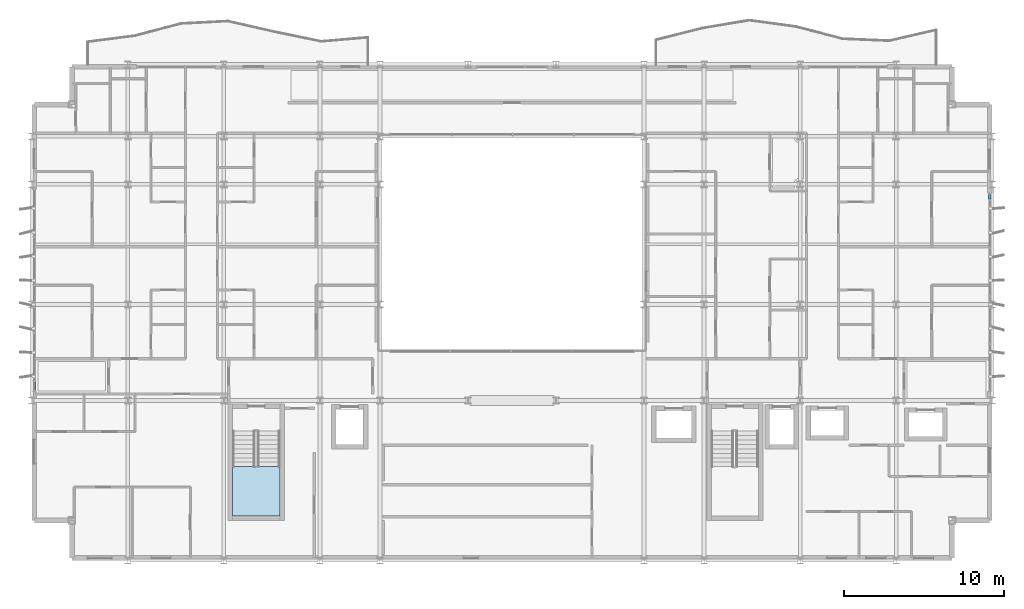
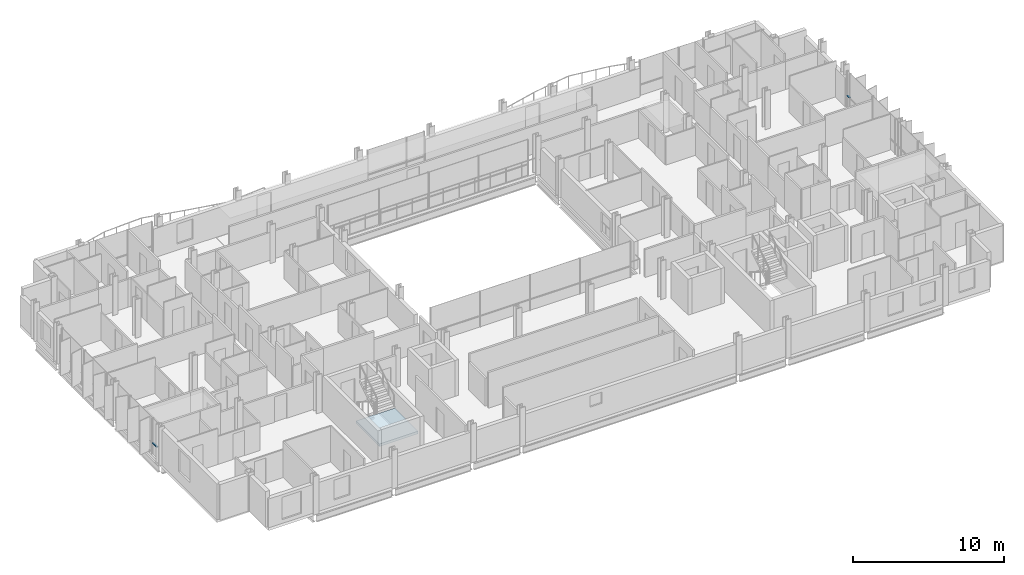
# One storey, part 21 of 39: 2 members, 1 slab, 3 elements without a shape of their own.
"""IFC4 building model written with IfcOpenShell, lengths in metres."""

from ifc_helpers import new_model, si_unit, direction, frame, origin, origin_2d, place, context, subcontext, project, spatial, polyline, hollow_rectangle, outline, extrude, material, layer, layer_set, material_profile, profile_set, type_object, element, aggregate, save


model = new_model("IFC4")

# Units and contexts
model_context = context("Model", 3, precision=1e-05, world=origin(), true_north=direction((0.0, 1.0)))
body_context = subcontext(model_context, "Body", "Model", "MODEL_VIEW")
ifc_project = project(units=[si_unit("LENGTHUNIT", "METRE"), si_unit("AREAUNIT", "SQUARE_METRE"), si_unit("VOLUMEUNIT", "CUBIC_METRE"), si_unit("PLANEANGLEUNIT", "RADIAN"), si_unit("MASSUNIT", "GRAM", prefix="KILO")], contexts=[model_context])

# Site, building, storey
site_placement = place(None, origin())
site = spatial("IfcSite", under=ifc_project, at=site_placement, CompositionType="ELEMENT")
building_placement = place(site_placement, origin())
building = spatial("IfcBuilding", under=site, at=building_placement, Name="Brevholm Reach", CompositionType="ELEMENT")
storey_placement = place(building_placement, frame((0.0, 0.0, 115.89990234375)))
storey = spatial("IfcBuildingStorey", under=building, at=storey_placement, Name="L34", CompositionType="ELEMENT", Elevation=115.89990234375)

# Curtain wall, member
ifc_material_1 = material(Name="Dark Anodised Aluminium 6063-T6 and Solar-Control Glass", Category="aluminium")
ifc_layer_1 = layer(ifc_material_1, 0.14990234375)
ifc_layer_set_1 = layer_set([ifc_layer_1], Name="Dark Anodised Aluminium 6063-T6 and Solar-Control Glass")
curtain_wall_type = type_object("IfcCurtainWallType", Name="CW-01", PredefinedType="NOTDEFINED", material=ifc_layer_set_1)
curtain_wall_1_placement = place(storey_placement, origin())
curtain_wall_1 = element("IfcCurtainWall", 1, at=curtain_wall_1_placement, inside=storey, type_object=curtain_wall_type, Name="L34 Curtain Wall CW-01", PredefinedType="NOTDEFINED")
ifc_material_2 = material(Name="Dark Anodised Aluminium 6063-T6", Category="aluminium")
ifc_material_profile = material_profile(ifc_material_2, hollow_rectangle(XDim=0.06494140625, YDim=0.14990234375, WallThickness=0.0048828125, InnerFilletRadius=0.0048828125, OuterFilletRadius=0.010009765625, at=origin_2d()), Name="RHS 150x65x5")
ifc_profile_set = profile_set([ifc_material_profile], Name="Dark Anodised Aluminium 6063-T6")
member_type = type_object("IfcMemberType", Name="CWT-150", PredefinedType="NOTDEFINED", material=ifc_profile_set)
member_1_placement = place(storey_placement, frame((0.14990234375, 11.1875, 0.900146484375), z_axis=(0.0, -1.0, 0.0), x_axis=(0.0, 0.0, 1.0)))
member_1 = element("IfcMember", 2, at=member_1_placement, type_object=member_type, Name="CT-150 Transom 5.1", ObjectType="TRANSOM", PredefinedType="USERDEFINED", context=body_context, shape_type="SweptSolid", body=[
    extrude(hollow_rectangle(XDim=0.06494140625, YDim=0.14990234375, WallThickness=0.0048828125, InnerFilletRadius=0.0048828125, OuterFilletRadius=0.010009765625, at=origin_2d()), origin(), (0.0, 0.0, 1.0), 0.572509765625),
])
aggregate(curtain_wall_1, [member_1])

curtain_wall_2_placement = place(storey_placement, origin())
curtain_wall_2 = element("IfcCurtainWall", 3, at=curtain_wall_2_placement, inside=storey, type_object=curtain_wall_type, Name="L34 Curtain Wall CW-01", PredefinedType="NOTDEFINED")
member_2_placement = place(storey_placement, frame((59.85009765625, 22.58251953125, 0.900146484375), z_axis=(0.0, 1.0, 0.0), x_axis=(0.0, 0.0, 1.0)))
member_2 = element("IfcMember", 4, at=member_2_placement, type_object=member_type, Name="CT-150 Transom 5.1", ObjectType="TRANSOM", PredefinedType="USERDEFINED", context=body_context, shape_type="SweptSolid", body=[
    extrude(hollow_rectangle(XDim=0.06494140625, YDim=0.14990234375, WallThickness=0.0048828125, InnerFilletRadius=0.0048828125, OuterFilletRadius=0.010009765625, at=origin_2d()), origin(), (0.0, 0.0, 1.0), 0.302490234375),
])
aggregate(curtain_wall_2, [member_2])

# Stair, slab
ifc_material_3 = material(Name="Precast Concrete C40/50", Category="concrete")
stair_type = type_object("IfcStairType", Name="STR-ESC-1400", PredefinedType="DOUBLE_RETURN_STAIR", material=ifc_material_3)
stair_placement = place(storey_placement, origin())
stair = element("IfcStair", 5, at=stair_placement, inside=storey, type_object=stair_type, Name="L34 ST-1", PredefinedType="DOUBLE_RETURN_STAIR")
ifc_material_4 = material(Name="Concrete C40/50", Category="concrete")
ifc_layer_2 = layer(ifc_material_4, 0.199951171875)
ifc_layer_set_2 = layer_set([ifc_layer_2], Name="Concrete C40/50")
slab_type = type_object("IfcSlabType", Name="SLB-LND-200", PredefinedType="LANDING", material=ifc_layer_set_2)
slab_placement = place(storey_placement, frame((0.0, 0.0, 1.35009765625)))
slab = element("IfcSlab", 6, at=slab_placement, type_object=slab_type, Name="ST-1 landing 1", PredefinedType="LANDING", context=body_context, shape_type="SweptSolid", body=[
    extrude(outline(polyline([(12.550048828125, 5.860107421875), (12.550048828125, 2.780029296875), (15.5, 2.780029296875), (15.5, 5.860107421875), (12.550048828125, 5.860107421875)])), origin(), (0.0, 0.0, 1.0), 0.199951171875),
])
aggregate(stair, [slab])

save(model, "model.ifc")
